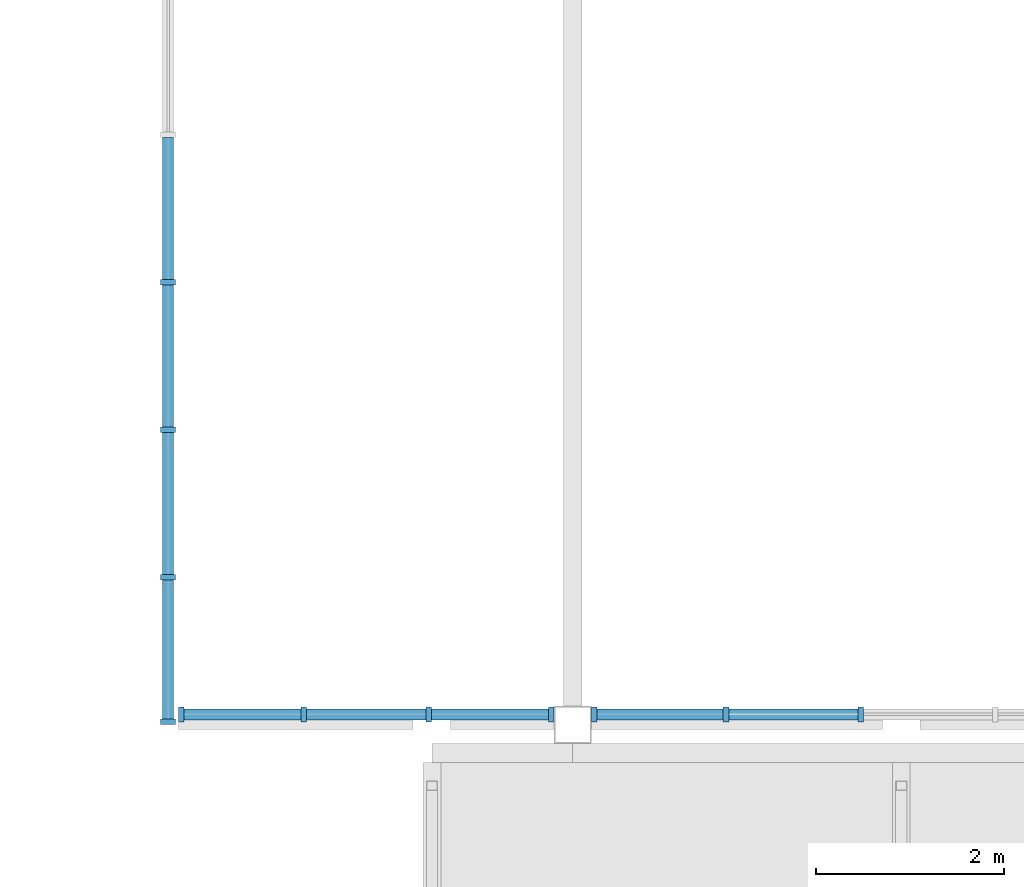
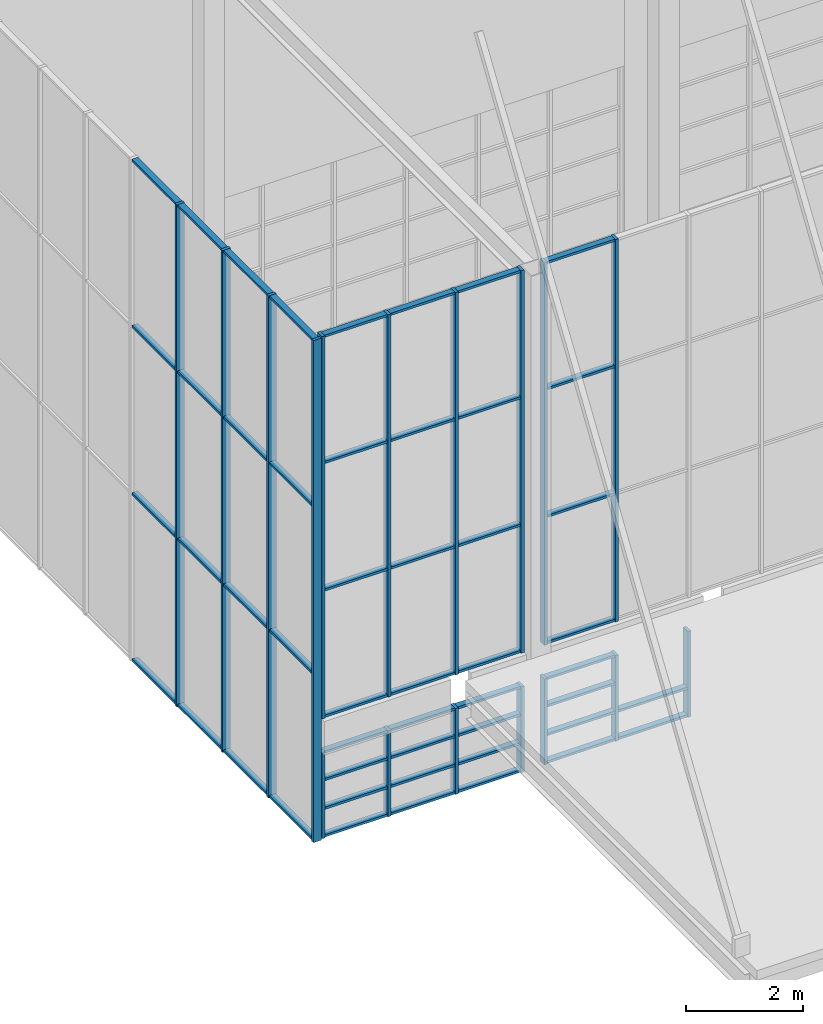
# One storey, part 17 of 182: 67 members, 5 elements without a shape of their own.
"""IFC4 building model written with IfcOpenShell, lengths in metres."""

import ifcopenshell
import ifcopenshell.guid

model = None  # the IFC model being written
_history = None  # IfcOwnerHistory: only IFC2X3 demands one
_inside = {}  # id of a spatial element -> (the spatial element, [elements in it])
_under = {}  # id of a project, library or spatial element -> (it, [spatial elements below it])
_declared = {}  # id of a project -> (the project, [libraries it declares])
_typed = {}  # id of a type object -> (the type object, [elements of that type])
_made_of = {}  # id of a material, layer set ... -> (it, [elements and type objects made of it])


def new_model(schema):
    """Start an empty IFC model of exactly this schema.

    Asked for "IFC4X3", IfcOpenShell would pick the latest addendum, in which some entities
    have other attributes; the version numbers below select the first issue.
    IFC2X3 requires an IfcOwnerHistory on every rooted entity: one is made here for all.
    """
    global model, _history
    if schema == "IFC4X3":
        model = ifcopenshell.file(schema_version=(4, 3, 0, 0))
    else:
        model = ifcopenshell.file(schema=schema)
    _inside.clear()
    _under.clear()
    _declared.clear()
    _typed.clear()
    _made_of.clear()
    _history = None
    if model.schema == "IFC2X3":
        org = make("IfcOrganization", Name="unknown")
        user = make(
            "IfcPersonAndOrganization",
            ThePerson=make("IfcPerson", FamilyName="unknown"),
            TheOrganization=org,
        )
        app = make(
            "IfcApplication",
            ApplicationDeveloper=org,
            Version="unknown",
            ApplicationFullName="unknown",
            ApplicationIdentifier="unknown",
        )
        _history = make(
            "IfcOwnerHistory",
            OwningUser=user,
            OwningApplication=app,
            ChangeAction="ADDED",
            CreationDate=0,
        )
    return model


def make(cls, **values):
    """One entity of the class cls with the attributes given. An attribute that is None is left unset."""
    return model.create_entity(
        cls, **{name: value for name, value in values.items() if value is not None}
    )


def rooted(cls, **values):
    """An entity with a GlobalId (a new one), such as an element, a storey or a relation."""
    return make(cls, GlobalId=ifcopenshell.guid.new(), OwnerHistory=_history, **values)


def si_unit(unit_type, name, prefix=None):
    """IfcSIUnit, for example si_unit("LENGTHUNIT", "METRE", prefix="MILLI")."""
    return make("IfcSIUnit", UnitType=unit_type, Prefix=prefix, Name=name)


def assignment(units):
    """IfcUnitAssignment: the units of a project."""
    return None if units is None else make("IfcUnitAssignment", Units=units)


def point(xyz):
    """IfcCartesianPoint."""
    return None if xyz is None else make("IfcCartesianPoint", Coordinates=xyz)


def direction(xyz):
    """IfcDirection."""
    return None if xyz is None else make("IfcDirection", DirectionRatios=xyz)


def frame(location, z_axis=None, x_axis=None):
    """IfcAxis2Placement3D, a coordinate frame: its origin and axes. An axis left out is left unset."""
    return make(
        "IfcAxis2Placement3D",
        Location=point(location),
        Axis=direction(z_axis),
        RefDirection=direction(x_axis),
    )


def frame_2d(location, x_axis=None):
    """IfcAxis2Placement2D, a coordinate frame in the plane: its origin and x axis."""
    return make(
        "IfcAxis2Placement2D", Location=point(location), RefDirection=direction(x_axis)
    )


def origin():
    """The frame at (0, 0, 0) with its axes left unset."""
    return frame((0.0, 0.0, 0.0))


def origin_2d():
    """The frame at (0, 0) in the plane with its x axis left unset."""
    return frame_2d((0.0, 0.0))


def place(relative_to, where):
    """IfcLocalPlacement: puts the frame where relative to a parent placement (None: the world)."""
    return make(
        "IfcLocalPlacement", PlacementRelTo=relative_to, RelativePlacement=where
    )


def context(
    kind, dimensions, precision=None, world=None, true_north=None, identifier=None
):
    """IfcGeometricRepresentationContext, for example the 3D "Model" context."""
    return make(
        "IfcGeometricRepresentationContext",
        ContextIdentifier=identifier,
        ContextType=kind,
        CoordinateSpaceDimension=dimensions,
        Precision=precision,
        WorldCoordinateSystem=world,
        TrueNorth=true_north,
    )


def subcontext(parent, identifier, kind, view, scale=None):
    """IfcGeometricRepresentationSubContext, for example "Body" below "Model"."""
    return make(
        "IfcGeometricRepresentationSubContext",
        ContextIdentifier=identifier,
        ContextType=kind,
        ParentContext=parent,
        TargetScale=scale,
        TargetView=view,
    )


def project(units=None, contexts=None):
    """IfcProject with its units and contexts."""
    return rooted(
        "IfcProject",
        Name="project",
        RepresentationContexts=contexts,
        UnitsInContext=assignment(units),
    )


def spatial(cls, under=None, at=None, **own):
    """A site, building, storey or space (cls), placed at a placement, below another one or the project."""
    s = rooted(cls, ObjectPlacement=at, **own)
    if under is not None:
        _under.setdefault(under.id(), (under, []))[1].append(s)
    return s


def profile(cls, at=None, kind="AREA", **sizes):
    """A parametric profile (cls). Its sizes go by their IFC names, for example OverallWidth=200.0."""
    return make(cls, ProfileType=kind, Position=at, **sizes)


def rectangle(**sizes):
    """IfcRectangleProfileDef."""
    return profile("IfcRectangleProfileDef", **sizes)


def extrude(swept, where, along, depth):
    """IfcExtrudedAreaSolid: the profile swept, set in the frame where, extruded along a direction by depth."""
    return make(
        "IfcExtrudedAreaSolid",
        SweptArea=swept,
        Position=where,
        ExtrudedDirection=direction(along),
        Depth=depth,
    )


def shape(context_of_items, identifier, shape_type, items):
    """IfcShapeRepresentation: the items that make up one representation, for example the "Body"."""
    return make(
        "IfcShapeRepresentation",
        ContextOfItems=context_of_items,
        RepresentationIdentifier=identifier,
        RepresentationType=shape_type,
        Items=items,
    )


def material(Name=None, Category=None):
    """IfcMaterial."""
    return make("IfcMaterial", Name=Name, Category=Category)


def material_profile(
    of_material, cross_section, Name=None, Category=None, Priority=None
):
    """IfcMaterialProfile: a cross section and its material."""
    return make(
        "IfcMaterialProfile",
        Name=Name,
        Material=of_material,
        Profile=cross_section,
        Priority=Priority,
        Category=Category,
    )


def profile_set(profiles, Name=None, composite=None):
    """IfcMaterialProfileSet."""
    return make(
        "IfcMaterialProfileSet",
        Name=Name,
        MaterialProfiles=profiles,
        CompositeProfile=composite,
    )


def made_of(thing, what):
    """Note that an element or type object is made of a material, layer set ...; save() writes the relation."""
    if what is not None:
        _made_of.setdefault(what.id(), (what, []))[1].append(thing)
    return thing


def type_object(cls, material=None, **own):
    """A type object (cls), such as IfcWallType, which elements share."""
    return made_of(rooted(cls, **own), material)


def element(
    cls,
    number,
    at=None,
    inside=None,
    cuts=None,
    type_object=None,
    material=None,
    context=None,
    identifier="Body",
    shape_type=None,
    held_by="IfcProductDefinitionShape",
    body=None,
    shapes=None,
    **own,
):
    """One element of the class cls, such as IfcWall. Its Tag is "e" and its number.

    at: its placement. inside: the storey or other place that contains it. cuts: it is an
    opening in that element (IfcRelVoidsElement). A single representation is given by context,
    identifier, shape_type and body (its items); several are given by shapes. held_by: the class
    of the entity that holds the representations. save() writes the other relations.
    """
    e = rooted(cls, Tag="e%d" % number, ObjectPlacement=at, **own)
    if body is not None:
        shapes = [shape(context, identifier, shape_type, body)]
    if shapes is not None:
        e.Representation = make(held_by, Representations=shapes)
    if inside is not None:
        _inside.setdefault(inside.id(), (inside, []))[1].append(e)
    if cuts is not None:
        rooted(
            "IfcRelVoidsElement", RelatingBuildingElement=cuts, RelatedOpeningElement=e
        )
    if type_object is not None:
        _typed.setdefault(type_object.id(), (type_object, []))[1].append(e)
    return made_of(e, material)


def aggregate(whole, parts):
    """IfcRelAggregates: a whole, such as a stair, and the parts it consists of."""
    return rooted("IfcRelAggregates", RelatingObject=whole, RelatedObjects=parts)


def save(model, path):
    """Write the relations noted so far, then the file.

    IfcRelAggregates (storeys below a building ...), IfcRelContainedInSpatialStructure (elements
    in a storey), IfcRelDefinesByType, IfcRelAssociatesMaterial and IfcRelDeclares: one each for
    every whole, place, type object, material and project.
    """
    for whole, parts in _under.values():
        aggregate(whole, parts)
    for where, things in _inside.values():
        rooted(
            "IfcRelContainedInSpatialStructure",
            RelatedElements=things,
            RelatingStructure=where,
        )
    for kind, things in _typed.values():
        rooted("IfcRelDefinesByType", RelatedObjects=things, RelatingType=kind)
    for what, things in _made_of.values():
        rooted("IfcRelAssociatesMaterial", RelatedObjects=things, RelatingMaterial=what)
    for by, libraries in _declared.values():
        rooted("IfcRelDeclares", RelatingContext=by, RelatedDefinitions=libraries)
    model.write(path)


model = new_model("IFC4")

# Units and contexts
model_context = context("Model", 3, precision=1e-05, world=origin(), true_north=direction((0.0, 1.0)))
body_context = subcontext(model_context, "Body", "Model", "MODEL_VIEW")
ifc_project = project(units=[si_unit("LENGTHUNIT", "METRE"), si_unit("AREAUNIT", "SQUARE_METRE"), si_unit("VOLUMEUNIT", "CUBIC_METRE"), si_unit("PLANEANGLEUNIT", "RADIAN"), si_unit("MASSUNIT", "GRAM", prefix="KILO")], contexts=[model_context])

# Site, building, storey
site_placement = place(None, origin())
site = spatial("IfcSite", under=ifc_project, at=site_placement, CompositionType="ELEMENT")
building_placement = place(site_placement, origin())
building = spatial("IfcBuilding", under=site, at=building_placement, Name="Silverbay Arena", CompositionType="ELEMENT")
storey_placement = place(building_placement, frame((0.0, 0.0, 11.5)))
storey = spatial("IfcBuildingStorey", under=building, at=storey_placement, Name="L02", CompositionType="ELEMENT", Elevation=11.5)

# Curtain wall, members
ifc_material_1 = material(Name="Aluminium framed curtain wall", Category="aluminium")
curtain_wall_type_1 = type_object("IfcCurtainWallType", Name="Curtain wall 8600 x 1800", PredefinedType="NOTDEFINED", material=ifc_material_1)
curtain_wall_1_placement = place(storey_placement, origin())
curtain_wall_1 = element("IfcCurtainWall", 1, at=curtain_wall_1_placement, inside=storey, type_object=curtain_wall_type_1, Name="South entrance hall S1 glazing F0", PredefinedType="NOTDEFINED")
ifc_material_2 = material(Name="Aluminium", Category="aluminium")
ifc_material_profile_1 = material_profile(ifc_material_2, rectangle(XDim=0.159912109375, YDim=0.06005859375, at=origin_2d()), Name="Mullion 60 x 160")
ifc_profile_set_1 = profile_set([ifc_material_profile_1], Name="Aluminium")
member_type_1 = type_object("IfcMemberType", Name="Mullion 60 x 160", PredefinedType="MULLION", material=ifc_profile_set_1)
member_1_placement = place(storey_placement, frame((117.22998046875, 5.860107421875, 0.0), z_axis=(0.0, 0.0, 1.0), x_axis=(0.0, 1.0, 0.0)))
member_1 = element("IfcMember", 2, at=member_1_placement, type_object=member_type_1, Name="CW25 mullion 1", PredefinedType="MULLION", context=body_context, shape_type="SweptSolid", body=[
    extrude(rectangle(XDim=0.159912109375, YDim=0.06005859375, at=origin_2d()), origin(), (0.0, 0.0, 1.0), 1.800048828125),
])
member_2_placement = place(storey_placement, frame((118.63330078125, 5.860107421875, 0.0), z_axis=(0.0, 0.0, 1.0), x_axis=(0.0, 1.0, 0.0)))
member_2 = element("IfcMember", 3, at=member_2_placement, type_object=member_type_1, Name="CW25 mullion 2", PredefinedType="MULLION", context=body_context, shape_type="SweptSolid", body=[
    extrude(rectangle(XDim=0.159912109375, YDim=0.06005859375, at=origin_2d()), origin(), (0.0, 0.0, 1.0), 1.800048828125),
])
member_3_placement = place(storey_placement, frame((120.066650390625, 5.860107421875, 0.0), z_axis=(0.0, 0.0, 1.0), x_axis=(0.0, 1.0, 0.0)))
member_3 = element("IfcMember", 4, at=member_3_placement, type_object=member_type_1, Name="CW25 mullion 3", PredefinedType="MULLION", context=body_context, shape_type="SweptSolid", body=[
    extrude(rectangle(XDim=0.159912109375, YDim=0.06005859375, at=origin_2d()), origin(), (0.0, 0.0, 1.0), 1.800048828125),
])

ifc_material_3 = material(Name="Aluminium framed curtain wall", Category="aluminium")
curtain_wall_type_2 = type_object("IfcCurtainWallType", Name="Curtain wall 8600 x 8000", PredefinedType="NOTDEFINED", material=ifc_material_3)
curtain_wall_2_placement = place(storey_placement, origin())
curtain_wall_2 = element("IfcCurtainWall", 5, at=curtain_wall_2_placement, inside=storey, type_object=curtain_wall_type_2, Name="South entrance hall S1 glazing F0", PredefinedType="NOTDEFINED")
member_4_placement = place(storey_placement, frame((117.22998046875, 5.860107421875, 2.5), z_axis=(0.0, 0.0, 1.0), x_axis=(0.0, 1.0, 0.0)))
member_4 = element("IfcMember", 6, at=member_4_placement, type_object=member_type_1, Name="CW26 mullion 1", PredefinedType="MULLION", context=body_context, shape_type="SweptSolid", body=[
    extrude(rectangle(XDim=0.159912109375, YDim=0.06005859375, at=origin_2d()), origin(), (0.0, 0.0, 1.0), 8.0),
])
member_5_placement = place(storey_placement, frame((118.63330078125, 5.860107421875, 2.5), z_axis=(0.0, 0.0, 1.0), x_axis=(0.0, 1.0, 0.0)))
member_5 = element("IfcMember", 7, at=member_5_placement, type_object=member_type_1, Name="CW26 mullion 2", PredefinedType="MULLION", context=body_context, shape_type="SweptSolid", body=[
    extrude(rectangle(XDim=0.159912109375, YDim=0.06005859375, at=origin_2d()), origin(), (0.0, 0.0, 1.0), 8.0),
])

ifc_material_4 = material(Name="Aluminium framed curtain wall", Category="aluminium")
curtain_wall_type_3 = type_object("IfcCurtainWallType", Name="Curtain wall 4000 x 1800", PredefinedType="NOTDEFINED", material=ifc_material_4)
curtain_wall_3_placement = place(storey_placement, origin())
curtain_wall_3 = element("IfcCurtainWall", 8, at=curtain_wall_3_placement, inside=storey, type_object=curtain_wall_type_3, Name="South entrance hall S1 glazing F-a", PredefinedType="NOTDEFINED")
member_6_placement = place(storey_placement, frame((112.830078125, 5.860107421875, 0.0), z_axis=(0.0, 0.0, 1.0), x_axis=(0.0, 1.0, 0.0)))
member_6 = element("IfcMember", 9, at=member_6_placement, type_object=member_type_1, Name="CW33 mullion 1", PredefinedType="MULLION", context=body_context, shape_type="SweptSolid", body=[
    extrude(rectangle(XDim=0.159912109375, YDim=0.06005859375, at=origin_2d()), origin(), (0.0, 0.0, 1.0), 1.800048828125),
])
member_7_placement = place(storey_placement, frame((114.13330078125, 5.860107421875, 0.0), z_axis=(0.0, 0.0, 1.0), x_axis=(0.0, 1.0, 0.0)))
member_7 = element("IfcMember", 10, at=member_7_placement, type_object=member_type_1, Name="CW33 mullion 2", PredefinedType="MULLION", context=body_context, shape_type="SweptSolid", body=[
    extrude(rectangle(XDim=0.159912109375, YDim=0.06005859375, at=origin_2d()), origin(), (0.0, 0.0, 1.0), 1.800048828125),
])
member_8_placement = place(storey_placement, frame((115.466552734375, 5.860107421875, 0.0), z_axis=(0.0, 0.0, 1.0), x_axis=(0.0, 1.0, 0.0)))
member_8 = element("IfcMember", 11, at=member_8_placement, type_object=member_type_1, Name="CW33 mullion 3", PredefinedType="MULLION", context=body_context, shape_type="SweptSolid", body=[
    extrude(rectangle(XDim=0.159912109375, YDim=0.06005859375, at=origin_2d()), origin(), (0.0, 0.0, 1.0), 1.800048828125),
])
member_9_placement = place(storey_placement, frame((116.77001953125, 5.860107421875, 0.0), z_axis=(0.0, 0.0, 1.0), x_axis=(0.0, 1.0, 0.0)))
member_9 = element("IfcMember", 12, at=member_9_placement, type_object=member_type_1, Name="CW33 mullion 4", PredefinedType="MULLION", context=body_context, shape_type="SweptSolid", body=[
    extrude(rectangle(XDim=0.159912109375, YDim=0.06005859375, at=origin_2d()), origin(), (0.0, 0.0, 1.0), 1.800048828125),
])

ifc_material_5 = material(Name="Aluminium framed curtain wall", Category="aluminium")
curtain_wall_type_4 = type_object("IfcCurtainWallType", Name="Curtain wall 4000 x 8000", PredefinedType="NOTDEFINED", material=ifc_material_5)
curtain_wall_4_placement = place(storey_placement, origin())
curtain_wall_4 = element("IfcCurtainWall", 13, at=curtain_wall_4_placement, inside=storey, type_object=curtain_wall_type_4, Name="South entrance hall S1 glazing F-a", PredefinedType="NOTDEFINED")
member_10_placement = place(storey_placement, frame((112.830078125, 5.860107421875, 2.5), z_axis=(0.0, 0.0, 1.0), x_axis=(0.0, 1.0, 0.0)))
member_10 = element("IfcMember", 14, at=member_10_placement, type_object=member_type_1, Name="CW34 mullion 1", PredefinedType="MULLION", context=body_context, shape_type="SweptSolid", body=[
    extrude(rectangle(XDim=0.159912109375, YDim=0.06005859375, at=origin_2d()), origin(), (0.0, 0.0, 1.0), 8.0),
])
member_11_placement = place(storey_placement, frame((114.13330078125, 5.860107421875, 2.5), z_axis=(0.0, 0.0, 1.0), x_axis=(0.0, 1.0, 0.0)))
member_11 = element("IfcMember", 15, at=member_11_placement, type_object=member_type_1, Name="CW34 mullion 2", PredefinedType="MULLION", context=body_context, shape_type="SweptSolid", body=[
    extrude(rectangle(XDim=0.159912109375, YDim=0.06005859375, at=origin_2d()), origin(), (0.0, 0.0, 1.0), 8.0),
])
member_12_placement = place(storey_placement, frame((115.466552734375, 5.860107421875, 2.5), z_axis=(0.0, 0.0, 1.0), x_axis=(0.0, 1.0, 0.0)))
member_12 = element("IfcMember", 16, at=member_12_placement, type_object=member_type_1, Name="CW34 mullion 3", PredefinedType="MULLION", context=body_context, shape_type="SweptSolid", body=[
    extrude(rectangle(XDim=0.159912109375, YDim=0.06005859375, at=origin_2d()), origin(), (0.0, 0.0, 1.0), 8.0),
])
member_13_placement = place(storey_placement, frame((116.77001953125, 5.860107421875, 2.5), z_axis=(0.0, 0.0, 1.0), x_axis=(0.0, 1.0, 0.0)))
member_13 = element("IfcMember", 17, at=member_13_placement, type_object=member_type_1, Name="CW34 mullion 4", PredefinedType="MULLION", context=body_context, shape_type="SweptSolid", body=[
    extrude(rectangle(XDim=0.159912109375, YDim=0.06005859375, at=origin_2d()), origin(), (0.0, 0.0, 1.0), 8.0),
])

ifc_material_6 = material(Name="Aluminium framed curtain wall", Category="aluminium")
curtain_wall_type_5 = type_object("IfcCurtainWallType", Name="Curtain wall 11000 x 10500", PredefinedType="NOTDEFINED", material=ifc_material_6)
curtain_wall_5_placement = place(storey_placement, origin())
curtain_wall_5 = element("IfcCurtainWall", 18, at=curtain_wall_5_placement, inside=storey, type_object=curtain_wall_type_5, Name="South entrance hall S1 glazing SA", PredefinedType="NOTDEFINED")
member_14_placement = place(storey_placement, frame((112.68994140625, 5.780029296875, 0.0), z_axis=(0.0, 0.0, 1.0), x_axis=(-1.0, 0.0, 0.0)))
member_14 = element("IfcMember", 19, at=member_14_placement, type_object=member_type_1, Name="CW37 mullion 1", PredefinedType="MULLION", context=body_context, shape_type="SweptSolid", body=[
    extrude(rectangle(XDim=0.159912109375, YDim=0.06005859375, at=origin_2d()), origin(), (0.0, 0.0, 1.0), 10.5),
])
member_15_placement = place(storey_placement, frame((112.68994140625, 7.321533203125, 0.0), z_axis=(0.0, 0.0, 1.0), x_axis=(-1.0, 0.0, 0.0)))
member_15 = element("IfcMember", 20, at=member_15_placement, type_object=member_type_1, Name="CW37 mullion 2", PredefinedType="MULLION", context=body_context, shape_type="SweptSolid", body=[
    extrude(rectangle(XDim=0.159912109375, YDim=0.06005859375, at=origin_2d()), origin(), (0.0, 0.0, 1.0), 10.5),
])
member_16_placement = place(storey_placement, frame((112.68994140625, 8.892822265625, 0.0), z_axis=(0.0, 0.0, 1.0), x_axis=(-1.0, 0.0, 0.0)))
member_16 = element("IfcMember", 21, at=member_16_placement, type_object=member_type_1, Name="CW37 mullion 3", PredefinedType="MULLION", context=body_context, shape_type="SweptSolid", body=[
    extrude(rectangle(XDim=0.159912109375, YDim=0.06005859375, at=origin_2d()), origin(), (0.0, 0.0, 1.0), 10.5),
])
member_17_placement = place(storey_placement, frame((112.68994140625, 10.46435546875, 0.0), z_axis=(0.0, 0.0, 1.0), x_axis=(-1.0, 0.0, 0.0)))
member_17 = element("IfcMember", 22, at=member_17_placement, type_object=member_type_1, Name="CW37 mullion 4", PredefinedType="MULLION", context=body_context, shape_type="SweptSolid", body=[
    extrude(rectangle(XDim=0.159912109375, YDim=0.06005859375, at=origin_2d()), origin(), (0.0, 0.0, 1.0), 10.5),
])

# Member
ifc_material_7 = material(Name="Aluminium", Category="aluminium")
ifc_material_profile_2 = material_profile(ifc_material_7, rectangle(XDim=0.1201171875, YDim=0.050048828125, at=origin_2d()), Name="Transom 50 x 120")
ifc_profile_set_2 = profile_set([ifc_material_profile_2], Name="Aluminium")
member_type_2 = type_object("IfcMemberType", Name="Transom 50 x 120", PredefinedType="USERDEFINED", material=ifc_profile_set_2)
member_18_placement = place(storey_placement, frame((117.260009765625, 5.860107421875, 0.02490234375), z_axis=(1.0, 0.0, 0.0), x_axis=(0.0, 1.0, 0.0)))
member_18 = element("IfcMember", 23, at=member_18_placement, type_object=member_type_2, Name="CW25 transom 1.1", ObjectType="TRANSOM", PredefinedType="USERDEFINED", context=body_context, shape_type="SweptSolid", body=[
    extrude(rectangle(XDim=0.1201171875, YDim=0.050048828125, at=origin_2d()), origin(), (0.0, 0.0, 1.0), 1.34326171875),
])

member_19_placement = place(storey_placement, frame((117.260009765625, 5.860107421875, 0.60009765625), z_axis=(1.0, 0.0, 0.0), x_axis=(0.0, 1.0, 0.0)))
member_19 = element("IfcMember", 24, at=member_19_placement, type_object=member_type_2, Name="CW25 transom 1.2", ObjectType="TRANSOM", PredefinedType="USERDEFINED", context=body_context, shape_type="SweptSolid", body=[
    extrude(rectangle(XDim=0.1201171875, YDim=0.050048828125, at=origin_2d()), origin(), (0.0, 0.0, 1.0), 1.34326171875),
])

member_20_placement = place(storey_placement, frame((117.260009765625, 5.860107421875, 1.199951171875), z_axis=(1.0, 0.0, 0.0), x_axis=(0.0, 1.0, 0.0)))
member_20 = element("IfcMember", 25, at=member_20_placement, type_object=member_type_2, Name="CW25 transom 1.3", ObjectType="TRANSOM", PredefinedType="USERDEFINED", context=body_context, shape_type="SweptSolid", body=[
    extrude(rectangle(XDim=0.1201171875, YDim=0.050048828125, at=origin_2d()), origin(), (0.0, 0.0, 1.0), 1.34326171875),
])

member_21_placement = place(storey_placement, frame((117.260009765625, 5.860107421875, 1.77490234375), z_axis=(1.0, 0.0, 0.0), x_axis=(0.0, 1.0, 0.0)))
member_21 = element("IfcMember", 26, at=member_21_placement, type_object=member_type_2, Name="CW25 transom 1.4", ObjectType="TRANSOM", PredefinedType="USERDEFINED", context=body_context, shape_type="SweptSolid", body=[
    extrude(rectangle(XDim=0.1201171875, YDim=0.050048828125, at=origin_2d()), origin(), (0.0, 0.0, 1.0), 1.34326171875),
])

member_22_placement = place(storey_placement, frame((118.663330078125, 5.860107421875, 0.02490234375), z_axis=(1.0, 0.0, 0.0), x_axis=(0.0, 1.0, 0.0)))
member_22 = element("IfcMember", 27, at=member_22_placement, type_object=member_type_2, Name="CW25 transom 2.1", ObjectType="TRANSOM", PredefinedType="USERDEFINED", context=body_context, shape_type="SweptSolid", body=[
    extrude(rectangle(XDim=0.1201171875, YDim=0.050048828125, at=origin_2d()), origin(), (0.0, 0.0, 1.0), 1.373291015625),
])

member_23_placement = place(storey_placement, frame((118.663330078125, 5.860107421875, 0.60009765625), z_axis=(1.0, 0.0, 0.0), x_axis=(0.0, 1.0, 0.0)))
member_23 = element("IfcMember", 28, at=member_23_placement, type_object=member_type_2, Name="CW25 transom 2.2", ObjectType="TRANSOM", PredefinedType="USERDEFINED", context=body_context, shape_type="SweptSolid", body=[
    extrude(rectangle(XDim=0.1201171875, YDim=0.050048828125, at=origin_2d()), origin(), (0.0, 0.0, 1.0), 1.373291015625),
])

aggregate(curtain_wall_1, [member_1, member_2, member_3, member_18, member_19, member_20, member_21, member_22, member_23])

member_24_placement = place(storey_placement, frame((117.260009765625, 5.860107421875, 2.52490234375), z_axis=(1.0, 0.0, 0.0), x_axis=(0.0, 1.0, 0.0)))
member_24 = element("IfcMember", 29, at=member_24_placement, type_object=member_type_2, Name="CW26 transom 1.1", ObjectType="TRANSOM", PredefinedType="USERDEFINED", context=body_context, shape_type="SweptSolid", body=[
    extrude(rectangle(XDim=0.1201171875, YDim=0.050048828125, at=origin_2d()), origin(), (0.0, 0.0, 1.0), 1.34326171875),
])

member_25_placement = place(storey_placement, frame((117.260009765625, 5.860107421875, 5.166748046875), z_axis=(1.0, 0.0, 0.0), x_axis=(0.0, 1.0, 0.0)))
member_25 = element("IfcMember", 30, at=member_25_placement, type_object=member_type_2, Name="CW26 transom 1.2", ObjectType="TRANSOM", PredefinedType="USERDEFINED", context=body_context, shape_type="SweptSolid", body=[
    extrude(rectangle(XDim=0.1201171875, YDim=0.050048828125, at=origin_2d()), origin(), (0.0, 0.0, 1.0), 1.34326171875),
])

member_26_placement = place(storey_placement, frame((117.260009765625, 5.860107421875, 7.833251953125), z_axis=(1.0, 0.0, 0.0), x_axis=(0.0, 1.0, 0.0)))
member_26 = element("IfcMember", 31, at=member_26_placement, type_object=member_type_2, Name="CW26 transom 1.3", ObjectType="TRANSOM", PredefinedType="USERDEFINED", context=body_context, shape_type="SweptSolid", body=[
    extrude(rectangle(XDim=0.1201171875, YDim=0.050048828125, at=origin_2d()), origin(), (0.0, 0.0, 1.0), 1.34326171875),
])

member_27_placement = place(storey_placement, frame((117.260009765625, 5.860107421875, 10.47509765625), z_axis=(1.0, 0.0, 0.0), x_axis=(0.0, 1.0, 0.0)))
member_27 = element("IfcMember", 32, at=member_27_placement, type_object=member_type_2, Name="CW26 transom 1.4", ObjectType="TRANSOM", PredefinedType="USERDEFINED", context=body_context, shape_type="SweptSolid", body=[
    extrude(rectangle(XDim=0.1201171875, YDim=0.050048828125, at=origin_2d()), origin(), (0.0, 0.0, 1.0), 1.34326171875),
])

aggregate(curtain_wall_2, [member_4, member_5, member_24, member_25, member_26, member_27])

member_28_placement = place(storey_placement, frame((112.860107421875, 5.860107421875, 0.02490234375), z_axis=(1.0, 0.0, 0.0), x_axis=(0.0, 1.0, 0.0)))
member_28 = element("IfcMember", 33, at=member_28_placement, type_object=member_type_2, Name="CW33 transom 1.1", ObjectType="TRANSOM", PredefinedType="USERDEFINED", context=body_context, shape_type="SweptSolid", body=[
    extrude(rectangle(XDim=0.1201171875, YDim=0.050048828125, at=origin_2d()), origin(), (0.0, 0.0, 1.0), 1.2431640625),
])

member_29_placement = place(storey_placement, frame((112.860107421875, 5.860107421875, 0.60009765625), z_axis=(1.0, 0.0, 0.0), x_axis=(0.0, 1.0, 0.0)))
member_29 = element("IfcMember", 34, at=member_29_placement, type_object=member_type_2, Name="CW33 transom 1.2", ObjectType="TRANSOM", PredefinedType="USERDEFINED", context=body_context, shape_type="SweptSolid", body=[
    extrude(rectangle(XDim=0.1201171875, YDim=0.050048828125, at=origin_2d()), origin(), (0.0, 0.0, 1.0), 1.2431640625),
])

member_30_placement = place(storey_placement, frame((112.860107421875, 5.860107421875, 1.199951171875), z_axis=(1.0, 0.0, 0.0), x_axis=(0.0, 1.0, 0.0)))
member_30 = element("IfcMember", 35, at=member_30_placement, type_object=member_type_2, Name="CW33 transom 1.3", ObjectType="TRANSOM", PredefinedType="USERDEFINED", context=body_context, shape_type="SweptSolid", body=[
    extrude(rectangle(XDim=0.1201171875, YDim=0.050048828125, at=origin_2d()), origin(), (0.0, 0.0, 1.0), 1.2431640625),
])

member_31_placement = place(storey_placement, frame((112.860107421875, 5.860107421875, 1.77490234375), z_axis=(1.0, 0.0, 0.0), x_axis=(0.0, 1.0, 0.0)))
member_31 = element("IfcMember", 36, at=member_31_placement, type_object=member_type_2, Name="CW33 transom 1.4", ObjectType="TRANSOM", PredefinedType="USERDEFINED", context=body_context, shape_type="SweptSolid", body=[
    extrude(rectangle(XDim=0.1201171875, YDim=0.050048828125, at=origin_2d()), origin(), (0.0, 0.0, 1.0), 1.2431640625),
])

member_32_placement = place(storey_placement, frame((114.163330078125, 5.860107421875, 0.02490234375), z_axis=(1.0, 0.0, 0.0), x_axis=(0.0, 1.0, 0.0)))
member_32 = element("IfcMember", 37, at=member_32_placement, type_object=member_type_2, Name="CW33 transom 2.1", ObjectType="TRANSOM", PredefinedType="USERDEFINED", context=body_context, shape_type="SweptSolid", body=[
    extrude(rectangle(XDim=0.1201171875, YDim=0.050048828125, at=origin_2d()), origin(), (0.0, 0.0, 1.0), 1.2734375),
])

member_33_placement = place(storey_placement, frame((114.163330078125, 5.860107421875, 0.60009765625), z_axis=(1.0, 0.0, 0.0), x_axis=(0.0, 1.0, 0.0)))
member_33 = element("IfcMember", 38, at=member_33_placement, type_object=member_type_2, Name="CW33 transom 2.2", ObjectType="TRANSOM", PredefinedType="USERDEFINED", context=body_context, shape_type="SweptSolid", body=[
    extrude(rectangle(XDim=0.1201171875, YDim=0.050048828125, at=origin_2d()), origin(), (0.0, 0.0, 1.0), 1.2734375),
])

member_34_placement = place(storey_placement, frame((114.163330078125, 5.860107421875, 1.199951171875), z_axis=(1.0, 0.0, 0.0), x_axis=(0.0, 1.0, 0.0)))
member_34 = element("IfcMember", 39, at=member_34_placement, type_object=member_type_2, Name="CW33 transom 2.3", ObjectType="TRANSOM", PredefinedType="USERDEFINED", context=body_context, shape_type="SweptSolid", body=[
    extrude(rectangle(XDim=0.1201171875, YDim=0.050048828125, at=origin_2d()), origin(), (0.0, 0.0, 1.0), 1.2734375),
])

member_35_placement = place(storey_placement, frame((114.163330078125, 5.860107421875, 1.77490234375), z_axis=(1.0, 0.0, 0.0), x_axis=(0.0, 1.0, 0.0)))
member_35 = element("IfcMember", 40, at=member_35_placement, type_object=member_type_2, Name="CW33 transom 2.4", ObjectType="TRANSOM", PredefinedType="USERDEFINED", context=body_context, shape_type="SweptSolid", body=[
    extrude(rectangle(XDim=0.1201171875, YDim=0.050048828125, at=origin_2d()), origin(), (0.0, 0.0, 1.0), 1.2734375),
])

member_36_placement = place(storey_placement, frame((115.49658203125, 5.860107421875, 0.02490234375), z_axis=(1.0, 0.0, 0.0), x_axis=(0.0, 1.0, 0.0)))
member_36 = element("IfcMember", 41, at=member_36_placement, type_object=member_type_2, Name="CW33 transom 3.1", ObjectType="TRANSOM", PredefinedType="USERDEFINED", context=body_context, shape_type="SweptSolid", body=[
    extrude(rectangle(XDim=0.1201171875, YDim=0.050048828125, at=origin_2d()), origin(), (0.0, 0.0, 1.0), 1.243408203125),
])

member_37_placement = place(storey_placement, frame((115.49658203125, 5.860107421875, 0.60009765625), z_axis=(1.0, 0.0, 0.0), x_axis=(0.0, 1.0, 0.0)))
member_37 = element("IfcMember", 42, at=member_37_placement, type_object=member_type_2, Name="CW33 transom 3.2", ObjectType="TRANSOM", PredefinedType="USERDEFINED", context=body_context, shape_type="SweptSolid", body=[
    extrude(rectangle(XDim=0.1201171875, YDim=0.050048828125, at=origin_2d()), origin(), (0.0, 0.0, 1.0), 1.243408203125),
])

member_38_placement = place(storey_placement, frame((115.49658203125, 5.860107421875, 1.199951171875), z_axis=(1.0, 0.0, 0.0), x_axis=(0.0, 1.0, 0.0)))
member_38 = element("IfcMember", 43, at=member_38_placement, type_object=member_type_2, Name="CW33 transom 3.3", ObjectType="TRANSOM", PredefinedType="USERDEFINED", context=body_context, shape_type="SweptSolid", body=[
    extrude(rectangle(XDim=0.1201171875, YDim=0.050048828125, at=origin_2d()), origin(), (0.0, 0.0, 1.0), 1.243408203125),
])

member_39_placement = place(storey_placement, frame((115.49658203125, 5.860107421875, 1.77490234375), z_axis=(1.0, 0.0, 0.0), x_axis=(0.0, 1.0, 0.0)))
member_39 = element("IfcMember", 44, at=member_39_placement, type_object=member_type_2, Name="CW33 transom 3.4", ObjectType="TRANSOM", PredefinedType="USERDEFINED", context=body_context, shape_type="SweptSolid", body=[
    extrude(rectangle(XDim=0.1201171875, YDim=0.050048828125, at=origin_2d()), origin(), (0.0, 0.0, 1.0), 1.243408203125),
])

aggregate(curtain_wall_3, [member_6, member_7, member_8, member_9, member_28, member_29, member_30, member_31, member_32, member_33, member_34, member_35, member_36, member_37, member_38, member_39])

member_40_placement = place(storey_placement, frame((112.860107421875, 5.860107421875, 2.52490234375), z_axis=(1.0, 0.0, 0.0), x_axis=(0.0, 1.0, 0.0)))
member_40 = element("IfcMember", 45, at=member_40_placement, type_object=member_type_2, Name="CW34 transom 1.1", ObjectType="TRANSOM", PredefinedType="USERDEFINED", context=body_context, shape_type="SweptSolid", body=[
    extrude(rectangle(XDim=0.1201171875, YDim=0.050048828125, at=origin_2d()), origin(), (0.0, 0.0, 1.0), 1.2431640625),
])

member_41_placement = place(storey_placement, frame((112.860107421875, 5.860107421875, 5.166748046875), z_axis=(1.0, 0.0, 0.0), x_axis=(0.0, 1.0, 0.0)))
member_41 = element("IfcMember", 46, at=member_41_placement, type_object=member_type_2, Name="CW34 transom 1.2", ObjectType="TRANSOM", PredefinedType="USERDEFINED", context=body_context, shape_type="SweptSolid", body=[
    extrude(rectangle(XDim=0.1201171875, YDim=0.050048828125, at=origin_2d()), origin(), (0.0, 0.0, 1.0), 1.2431640625),
])

member_42_placement = place(storey_placement, frame((112.860107421875, 5.860107421875, 7.833251953125), z_axis=(1.0, 0.0, 0.0), x_axis=(0.0, 1.0, 0.0)))
member_42 = element("IfcMember", 47, at=member_42_placement, type_object=member_type_2, Name="CW34 transom 1.3", ObjectType="TRANSOM", PredefinedType="USERDEFINED", context=body_context, shape_type="SweptSolid", body=[
    extrude(rectangle(XDim=0.1201171875, YDim=0.050048828125, at=origin_2d()), origin(), (0.0, 0.0, 1.0), 1.2431640625),
])

member_43_placement = place(storey_placement, frame((112.860107421875, 5.860107421875, 10.47509765625), z_axis=(1.0, 0.0, 0.0), x_axis=(0.0, 1.0, 0.0)))
member_43 = element("IfcMember", 48, at=member_43_placement, type_object=member_type_2, Name="CW34 transom 1.4", ObjectType="TRANSOM", PredefinedType="USERDEFINED", context=body_context, shape_type="SweptSolid", body=[
    extrude(rectangle(XDim=0.1201171875, YDim=0.050048828125, at=origin_2d()), origin(), (0.0, 0.0, 1.0), 1.2431640625),
])

member_44_placement = place(storey_placement, frame((114.163330078125, 5.860107421875, 2.52490234375), z_axis=(1.0, 0.0, 0.0), x_axis=(0.0, 1.0, 0.0)))
member_44 = element("IfcMember", 49, at=member_44_placement, type_object=member_type_2, Name="CW34 transom 2.1", ObjectType="TRANSOM", PredefinedType="USERDEFINED", context=body_context, shape_type="SweptSolid", body=[
    extrude(rectangle(XDim=0.1201171875, YDim=0.050048828125, at=origin_2d()), origin(), (0.0, 0.0, 1.0), 1.2734375),
])

member_45_placement = place(storey_placement, frame((114.163330078125, 5.860107421875, 5.166748046875), z_axis=(1.0, 0.0, 0.0), x_axis=(0.0, 1.0, 0.0)))
member_45 = element("IfcMember", 50, at=member_45_placement, type_object=member_type_2, Name="CW34 transom 2.2", ObjectType="TRANSOM", PredefinedType="USERDEFINED", context=body_context, shape_type="SweptSolid", body=[
    extrude(rectangle(XDim=0.1201171875, YDim=0.050048828125, at=origin_2d()), origin(), (0.0, 0.0, 1.0), 1.2734375),
])

member_46_placement = place(storey_placement, frame((114.163330078125, 5.860107421875, 7.833251953125), z_axis=(1.0, 0.0, 0.0), x_axis=(0.0, 1.0, 0.0)))
member_46 = element("IfcMember", 51, at=member_46_placement, type_object=member_type_2, Name="CW34 transom 2.3", ObjectType="TRANSOM", PredefinedType="USERDEFINED", context=body_context, shape_type="SweptSolid", body=[
    extrude(rectangle(XDim=0.1201171875, YDim=0.050048828125, at=origin_2d()), origin(), (0.0, 0.0, 1.0), 1.2734375),
])

member_47_placement = place(storey_placement, frame((114.163330078125, 5.860107421875, 10.47509765625), z_axis=(1.0, 0.0, 0.0), x_axis=(0.0, 1.0, 0.0)))
member_47 = element("IfcMember", 52, at=member_47_placement, type_object=member_type_2, Name="CW34 transom 2.4", ObjectType="TRANSOM", PredefinedType="USERDEFINED", context=body_context, shape_type="SweptSolid", body=[
    extrude(rectangle(XDim=0.1201171875, YDim=0.050048828125, at=origin_2d()), origin(), (0.0, 0.0, 1.0), 1.2734375),
])

member_48_placement = place(storey_placement, frame((115.49658203125, 5.860107421875, 2.52490234375), z_axis=(1.0, 0.0, 0.0), x_axis=(0.0, 1.0, 0.0)))
member_48 = element("IfcMember", 53, at=member_48_placement, type_object=member_type_2, Name="CW34 transom 3.1", ObjectType="TRANSOM", PredefinedType="USERDEFINED", context=body_context, shape_type="SweptSolid", body=[
    extrude(rectangle(XDim=0.1201171875, YDim=0.050048828125, at=origin_2d()), origin(), (0.0, 0.0, 1.0), 1.243408203125),
])

member_49_placement = place(storey_placement, frame((115.49658203125, 5.860107421875, 5.166748046875), z_axis=(1.0, 0.0, 0.0), x_axis=(0.0, 1.0, 0.0)))
member_49 = element("IfcMember", 54, at=member_49_placement, type_object=member_type_2, Name="CW34 transom 3.2", ObjectType="TRANSOM", PredefinedType="USERDEFINED", context=body_context, shape_type="SweptSolid", body=[
    extrude(rectangle(XDim=0.1201171875, YDim=0.050048828125, at=origin_2d()), origin(), (0.0, 0.0, 1.0), 1.243408203125),
])

member_50_placement = place(storey_placement, frame((115.49658203125, 5.860107421875, 7.833251953125), z_axis=(1.0, 0.0, 0.0), x_axis=(0.0, 1.0, 0.0)))
member_50 = element("IfcMember", 55, at=member_50_placement, type_object=member_type_2, Name="CW34 transom 3.3", ObjectType="TRANSOM", PredefinedType="USERDEFINED", context=body_context, shape_type="SweptSolid", body=[
    extrude(rectangle(XDim=0.1201171875, YDim=0.050048828125, at=origin_2d()), origin(), (0.0, 0.0, 1.0), 1.243408203125),
])

member_51_placement = place(storey_placement, frame((115.49658203125, 5.860107421875, 10.47509765625), z_axis=(1.0, 0.0, 0.0), x_axis=(0.0, 1.0, 0.0)))
member_51 = element("IfcMember", 56, at=member_51_placement, type_object=member_type_2, Name="CW34 transom 3.4", ObjectType="TRANSOM", PredefinedType="USERDEFINED", context=body_context, shape_type="SweptSolid", body=[
    extrude(rectangle(XDim=0.1201171875, YDim=0.050048828125, at=origin_2d()), origin(), (0.0, 0.0, 1.0), 1.243408203125),
])

aggregate(curtain_wall_4, [member_10, member_11, member_12, member_13, member_40, member_41, member_42, member_43, member_44, member_45, member_46, member_47, member_48, member_49, member_50, member_51])

member_52_placement = place(storey_placement, frame((112.68994140625, 5.81005859375, 0.02490234375), z_axis=(0.0, 1.0, 0.0), x_axis=(-1.0, 0.0, 0.0)))
member_52 = element("IfcMember", 57, at=member_52_placement, type_object=member_type_2, Name="CW37 transom 1.1", ObjectType="TRANSOM", PredefinedType="USERDEFINED", context=body_context, shape_type="SweptSolid", body=[
    extrude(rectangle(XDim=0.1201171875, YDim=0.050048828125, at=origin_2d()), origin(), (0.0, 0.0, 1.0), 1.4814453125),
])

member_53_placement = place(storey_placement, frame((112.68994140625, 5.81005859375, 3.5), z_axis=(0.0, 1.0, 0.0), x_axis=(-1.0, 0.0, 0.0)))
member_53 = element("IfcMember", 58, at=member_53_placement, type_object=member_type_2, Name="CW37 transom 1.2", ObjectType="TRANSOM", PredefinedType="USERDEFINED", context=body_context, shape_type="SweptSolid", body=[
    extrude(rectangle(XDim=0.1201171875, YDim=0.050048828125, at=origin_2d()), origin(), (0.0, 0.0, 1.0), 1.4814453125),
])

member_54_placement = place(storey_placement, frame((112.68994140625, 5.81005859375, 7.0), z_axis=(0.0, 1.0, 0.0), x_axis=(-1.0, 0.0, 0.0)))
member_54 = element("IfcMember", 59, at=member_54_placement, type_object=member_type_2, Name="CW37 transom 1.3", ObjectType="TRANSOM", PredefinedType="USERDEFINED", context=body_context, shape_type="SweptSolid", body=[
    extrude(rectangle(XDim=0.1201171875, YDim=0.050048828125, at=origin_2d()), origin(), (0.0, 0.0, 1.0), 1.4814453125),
])

member_55_placement = place(storey_placement, frame((112.68994140625, 5.81005859375, 10.47509765625), z_axis=(0.0, 1.0, 0.0), x_axis=(-1.0, 0.0, 0.0)))
member_55 = element("IfcMember", 60, at=member_55_placement, type_object=member_type_2, Name="CW37 transom 1.4", ObjectType="TRANSOM", PredefinedType="USERDEFINED", context=body_context, shape_type="SweptSolid", body=[
    extrude(rectangle(XDim=0.1201171875, YDim=0.050048828125, at=origin_2d()), origin(), (0.0, 0.0, 1.0), 1.4814453125),
])

member_56_placement = place(storey_placement, frame((112.68994140625, 7.351318359375, 0.02490234375), z_axis=(0.0, 1.0, 0.0), x_axis=(-1.0, 0.0, 0.0)))
member_56 = element("IfcMember", 61, at=member_56_placement, type_object=member_type_2, Name="CW37 transom 2.1", ObjectType="TRANSOM", PredefinedType="USERDEFINED", context=body_context, shape_type="SweptSolid", body=[
    extrude(rectangle(XDim=0.1201171875, YDim=0.050048828125, at=origin_2d()), origin(), (0.0, 0.0, 1.0), 1.511474609375),
])

member_57_placement = place(storey_placement, frame((112.68994140625, 7.351318359375, 3.5), z_axis=(0.0, 1.0, 0.0), x_axis=(-1.0, 0.0, 0.0)))
member_57 = element("IfcMember", 62, at=member_57_placement, type_object=member_type_2, Name="CW37 transom 2.2", ObjectType="TRANSOM", PredefinedType="USERDEFINED", context=body_context, shape_type="SweptSolid", body=[
    extrude(rectangle(XDim=0.1201171875, YDim=0.050048828125, at=origin_2d()), origin(), (0.0, 0.0, 1.0), 1.511474609375),
])

member_58_placement = place(storey_placement, frame((112.68994140625, 7.351318359375, 7.0), z_axis=(0.0, 1.0, 0.0), x_axis=(-1.0, 0.0, 0.0)))
member_58 = element("IfcMember", 63, at=member_58_placement, type_object=member_type_2, Name="CW37 transom 2.3", ObjectType="TRANSOM", PredefinedType="USERDEFINED", context=body_context, shape_type="SweptSolid", body=[
    extrude(rectangle(XDim=0.1201171875, YDim=0.050048828125, at=origin_2d()), origin(), (0.0, 0.0, 1.0), 1.511474609375),
])

member_59_placement = place(storey_placement, frame((112.68994140625, 7.351318359375, 10.47509765625), z_axis=(0.0, 1.0, 0.0), x_axis=(-1.0, 0.0, 0.0)))
member_59 = element("IfcMember", 64, at=member_59_placement, type_object=member_type_2, Name="CW37 transom 2.4", ObjectType="TRANSOM", PredefinedType="USERDEFINED", context=body_context, shape_type="SweptSolid", body=[
    extrude(rectangle(XDim=0.1201171875, YDim=0.050048828125, at=origin_2d()), origin(), (0.0, 0.0, 1.0), 1.511474609375),
])

member_60_placement = place(storey_placement, frame((112.68994140625, 8.9228515625, 0.02490234375), z_axis=(0.0, 1.0, 0.0), x_axis=(-1.0, 0.0, 0.0)))
member_60 = element("IfcMember", 65, at=member_60_placement, type_object=member_type_2, Name="CW37 transom 3.1", ObjectType="TRANSOM", PredefinedType="USERDEFINED", context=body_context, shape_type="SweptSolid", body=[
    extrude(rectangle(XDim=0.1201171875, YDim=0.050048828125, at=origin_2d()), origin(), (0.0, 0.0, 1.0), 1.511474609375),
])

member_61_placement = place(storey_placement, frame((112.68994140625, 8.9228515625, 3.5), z_axis=(0.0, 1.0, 0.0), x_axis=(-1.0, 0.0, 0.0)))
member_61 = element("IfcMember", 66, at=member_61_placement, type_object=member_type_2, Name="CW37 transom 3.2", ObjectType="TRANSOM", PredefinedType="USERDEFINED", context=body_context, shape_type="SweptSolid", body=[
    extrude(rectangle(XDim=0.1201171875, YDim=0.050048828125, at=origin_2d()), origin(), (0.0, 0.0, 1.0), 1.511474609375),
])

member_62_placement = place(storey_placement, frame((112.68994140625, 8.9228515625, 7.0), z_axis=(0.0, 1.0, 0.0), x_axis=(-1.0, 0.0, 0.0)))
member_62 = element("IfcMember", 67, at=member_62_placement, type_object=member_type_2, Name="CW37 transom 3.3", ObjectType="TRANSOM", PredefinedType="USERDEFINED", context=body_context, shape_type="SweptSolid", body=[
    extrude(rectangle(XDim=0.1201171875, YDim=0.050048828125, at=origin_2d()), origin(), (0.0, 0.0, 1.0), 1.511474609375),
])

member_63_placement = place(storey_placement, frame((112.68994140625, 8.9228515625, 10.47509765625), z_axis=(0.0, 1.0, 0.0), x_axis=(-1.0, 0.0, 0.0)))
member_63 = element("IfcMember", 68, at=member_63_placement, type_object=member_type_2, Name="CW37 transom 3.4", ObjectType="TRANSOM", PredefinedType="USERDEFINED", context=body_context, shape_type="SweptSolid", body=[
    extrude(rectangle(XDim=0.1201171875, YDim=0.050048828125, at=origin_2d()), origin(), (0.0, 0.0, 1.0), 1.511474609375),
])

member_64_placement = place(storey_placement, frame((112.68994140625, 10.494384765625, 0.02490234375), z_axis=(0.0, 1.0, 0.0), x_axis=(-1.0, 0.0, 0.0)))
member_64 = element("IfcMember", 69, at=member_64_placement, type_object=member_type_2, Name="CW37 transom 4.1", ObjectType="TRANSOM", PredefinedType="USERDEFINED", context=body_context, shape_type="SweptSolid", body=[
    extrude(rectangle(XDim=0.1201171875, YDim=0.050048828125, at=origin_2d()), origin(), (0.0, 0.0, 1.0), 1.51123046875),
])

member_65_placement = place(storey_placement, frame((112.68994140625, 10.494384765625, 3.5), z_axis=(0.0, 1.0, 0.0), x_axis=(-1.0, 0.0, 0.0)))
member_65 = element("IfcMember", 70, at=member_65_placement, type_object=member_type_2, Name="CW37 transom 4.2", ObjectType="TRANSOM", PredefinedType="USERDEFINED", context=body_context, shape_type="SweptSolid", body=[
    extrude(rectangle(XDim=0.1201171875, YDim=0.050048828125, at=origin_2d()), origin(), (0.0, 0.0, 1.0), 1.51123046875),
])

member_66_placement = place(storey_placement, frame((112.68994140625, 10.494384765625, 7.0), z_axis=(0.0, 1.0, 0.0), x_axis=(-1.0, 0.0, 0.0)))
member_66 = element("IfcMember", 71, at=member_66_placement, type_object=member_type_2, Name="CW37 transom 4.3", ObjectType="TRANSOM", PredefinedType="USERDEFINED", context=body_context, shape_type="SweptSolid", body=[
    extrude(rectangle(XDim=0.1201171875, YDim=0.050048828125, at=origin_2d()), origin(), (0.0, 0.0, 1.0), 1.51123046875),
])

member_67_placement = place(storey_placement, frame((112.68994140625, 10.494384765625, 10.47509765625), z_axis=(0.0, 1.0, 0.0), x_axis=(-1.0, 0.0, 0.0)))
member_67 = element("IfcMember", 72, at=member_67_placement, type_object=member_type_2, Name="CW37 transom 4.4", ObjectType="TRANSOM", PredefinedType="USERDEFINED", context=body_context, shape_type="SweptSolid", body=[
    extrude(rectangle(XDim=0.1201171875, YDim=0.050048828125, at=origin_2d()), origin(), (0.0, 0.0, 1.0), 1.51123046875),
])

aggregate(curtain_wall_5, [member_14, member_15, member_16, member_17, member_52, member_53, member_54, member_55, member_56, member_57, member_58, member_59, member_60, member_61, member_62, member_63, member_64, member_65, member_66, member_67])

save(model, "model.ifc")
